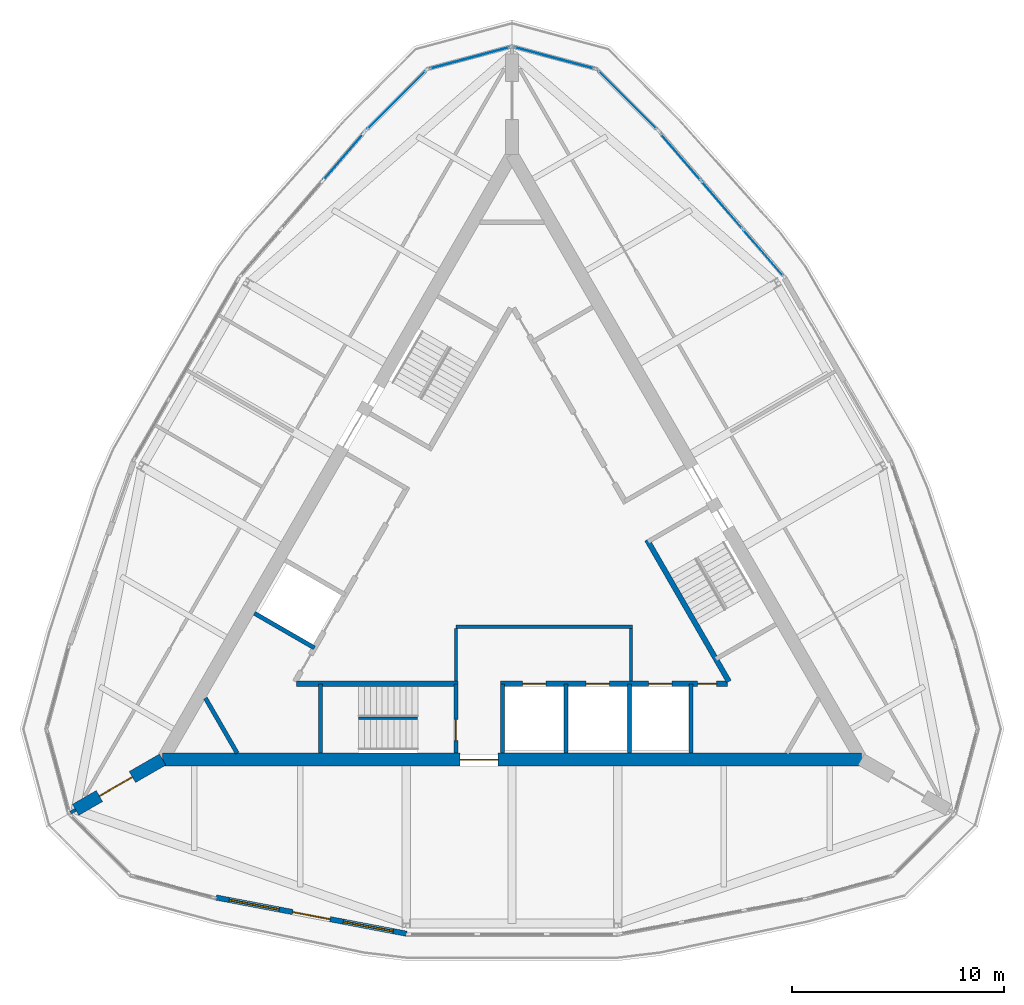
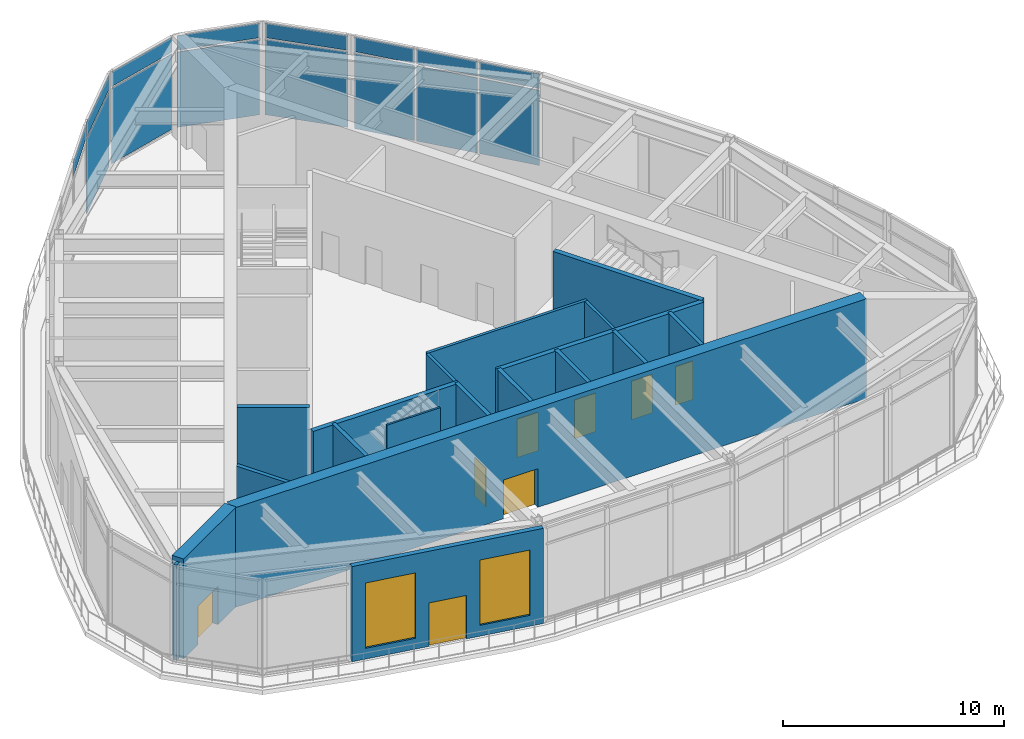
# One storey, part 5 of 9: 19 walls, 15 plates, 8 doors, 2 windows, 10 openings, 6 elements without a shape of their own.
"""IFC4 building model written with IfcOpenShell, lengths in metres."""

from ifc_helpers import new_model, si_unit, direction, frame, frame_2d, origin, origin_2d, place, context, subcontext, project, spatial, rectangle, extrude, material, layer, layer_set, type_object, element, fill, aggregate, save


model = new_model("IFC4")

# Units and contexts
model_context = context("Model", 3, precision=1e-05, world=origin(), true_north=direction((0.0, 1.0)))
body_context = subcontext(model_context, "Body", "Model", "MODEL_VIEW")
ifc_project = project(units=[si_unit("LENGTHUNIT", "METRE"), si_unit("AREAUNIT", "SQUARE_METRE"), si_unit("VOLUMEUNIT", "CUBIC_METRE"), si_unit("PLANEANGLEUNIT", "RADIAN"), si_unit("MASSUNIT", "GRAM", prefix="KILO")], contexts=[model_context])

# Site, building, storey
site_placement = place(None, origin())
site = spatial("IfcSite", under=ifc_project, at=site_placement, CompositionType="ELEMENT")
building_placement = place(site_placement, origin())
building = spatial("IfcBuilding", under=site, at=building_placement, Name="Trikona Tower", CompositionType="ELEMENT")
storey_placement = place(building_placement, frame((0.0, 0.0, 281.300048828125)))
storey = spatial("IfcBuildingStorey", under=building, at=storey_placement, Name="L74", CompositionType="ELEMENT", Elevation=281.300048828125)

# Curtain wall, plates
ifc_material_1 = material(Name="Aluminium curtain wall system", Category="aluminium")
curtain_wall_type = type_object("IfcCurtainWallType", Name="Curtain wall OB", PredefinedType="NOTDEFINED", material=ifc_material_1)
curtain_wall_1_placement = place(storey_placement, origin())
curtain_wall_1 = element("IfcCurtainWall", 1, at=curtain_wall_1_placement, inside=storey, type_object=curtain_wall_type, Name="Curtain wall OB L74", PredefinedType="NOTDEFINED")
ifc_material_2 = material(Name="Clear insulating glass unit", Category="glass")
ifc_layer_1 = layer(ifc_material_2, 0.028076171875)
ifc_layer_set_1 = layer_set([ifc_layer_1], Name="Glass panel OB")
plate_type = type_object("IfcPlateType", Name="Glass panel OB", PredefinedType="CURTAIN_PANEL", material=ifc_layer_set_1)
plate_1_placement = place(storey_placement, frame((11.865966796875, 14.408447265625, 0.10009765625), z_axis=(0.0, 0.0, 1.0), x_axis=(-0.652863914707, 0.757475219973, 0.0)))
plate_1 = element("IfcPlate", 2, at=plate_1_placement, type_object=plate_type, Name="CW-OB panel 1.1", PredefinedType="CURTAIN_PANEL", context=body_context, shape_type="SweptSolid", body=[
    extrude(rectangle(XDim=2.86376953125, YDim=0.028076171875, at=origin_2d()), origin(), (0.0, 0.0, 1.0), 4.14990234375),
])
plate_2_placement = place(storey_placement, frame((11.865966796875, 14.408447265625, 4.35009765625), z_axis=(0.0, 0.0, 1.0), x_axis=(-0.652863914707, 0.757475219973, 0.0)))
plate_2 = element("IfcPlate", 3, at=plate_2_placement, type_object=plate_type, Name="CW-OB panel 1.2", PredefinedType="CURTAIN_PANEL", context=body_context, shape_type="SweptSolid", body=[
    extrude(rectangle(XDim=2.86376953125, YDim=0.028076171875, at=origin_2d()), origin(), (0.0, 0.0, 1.0), 0.800048828125),
])
plate_3_placement = place(storey_placement, frame((9.914794921875, 16.67236328125, 0.10009765625), z_axis=(0.0, 0.0, 1.0), x_axis=(-0.652863914707, 0.757475219973, 0.0)))
plate_3 = element("IfcPlate", 4, at=plate_3_placement, type_object=plate_type, Name="CW-OB panel 2.1", PredefinedType="CURTAIN_PANEL", context=body_context, shape_type="SweptSolid", body=[
    extrude(rectangle(XDim=2.91357421875, YDim=0.028076171875, at=origin_2d()), origin(), (0.0, 0.0, 1.0), 4.14990234375),
])
plate_4_placement = place(storey_placement, frame((9.914794921875, 16.67236328125, 4.35009765625), z_axis=(0.0, 0.0, 1.0), x_axis=(-0.652863914707, 0.757475219973, 0.0)))
plate_4 = element("IfcPlate", 5, at=plate_4_placement, type_object=plate_type, Name="CW-OB panel 2.2", PredefinedType="CURTAIN_PANEL", context=body_context, shape_type="SweptSolid", body=[
    extrude(rectangle(XDim=2.91357421875, YDim=0.028076171875, at=origin_2d()), origin(), (0.0, 0.0, 1.0), 0.800048828125),
])
plate_5_placement = place(storey_placement, frame((7.96337890625, 18.936279296875, 0.10009765625), z_axis=(0.0, 0.0, 1.0), x_axis=(-0.652863914707, 0.757475219973, 0.0)))
plate_5 = element("IfcPlate", 6, at=plate_5_placement, type_object=plate_type, Name="CW-OB panel 3.1", PredefinedType="CURTAIN_PANEL", context=body_context, shape_type="SweptSolid", body=[
    extrude(rectangle(XDim=2.86376953125, YDim=0.028076171875, at=origin_2d()), origin(), (0.0, 0.0, 1.0), 4.14990234375),
])
plate_6_placement = place(storey_placement, frame((7.96337890625, 18.936279296875, 4.35009765625), z_axis=(0.0, 0.0, 1.0), x_axis=(-0.652863914707, 0.757475219973, 0.0)))
plate_6 = element("IfcPlate", 7, at=plate_6_placement, type_object=plate_type, Name="CW-OB panel 3.2", PredefinedType="CURTAIN_PANEL", context=body_context, shape_type="SweptSolid", body=[
    extrude(rectangle(XDim=2.86376953125, YDim=0.028076171875, at=origin_2d()), origin(), (0.0, 0.0, 1.0), 0.800048828125),
])
aggregate(curtain_wall_1, [plate_1, plate_2, plate_3, plate_4, plate_5, plate_6])

curtain_wall_2_placement = place(storey_placement, origin())
curtain_wall_2 = element("IfcCurtainWall", 8, at=curtain_wall_2_placement, inside=storey, type_object=curtain_wall_type, Name="Curtain wall OB L74", PredefinedType="NOTDEFINED")
plate_7_placement = place(storey_placement, frame((5.449951171875, 21.615966796875, 0.10009765625), z_axis=(0.0, 0.0, 1.0), x_axis=(-0.707106781187, 0.707106781187, 0.0)))
plate_7 = element("IfcPlate", 9, at=plate_7_placement, type_object=plate_type, Name="CW-OB panel 1.1", PredefinedType="CURTAIN_PANEL", context=body_context, shape_type="SweptSolid", body=[
    extrude(rectangle(XDim=3.864013671875, YDim=0.028076171875, at=origin_2d()), origin(), (0.0, 0.0, 1.0), 4.14990234375),
])
plate_8_placement = place(storey_placement, frame((5.449951171875, 21.615966796875, 4.35009765625), z_axis=(0.0, 0.0, 1.0), x_axis=(-0.707106781187, 0.707106781187, 0.0)))
plate_8 = element("IfcPlate", 10, at=plate_8_placement, type_object=plate_type, Name="CW-OB panel 1.2", PredefinedType="CURTAIN_PANEL", context=body_context, shape_type="SweptSolid", body=[
    extrude(rectangle(XDim=3.864013671875, YDim=0.028076171875, at=origin_2d()), origin(), (0.0, 0.0, 1.0), 0.800048828125),
])
aggregate(curtain_wall_2, [plate_7, plate_8])

curtain_wall_3_placement = place(storey_placement, origin())
curtain_wall_3 = element("IfcCurtainWall", 11, at=curtain_wall_3_placement, inside=storey, type_object=curtain_wall_type, Name="Curtain wall OB L74", PredefinedType="NOTDEFINED")
plate_9_placement = place(storey_placement, frame((1.994873046875, 23.610595703125, 0.10009765625), z_axis=(0.0, 0.0, 1.0), x_axis=(-0.965923448705, 0.258827918204, 0.0)))
plate_9 = element("IfcPlate", 12, at=plate_9_placement, type_object=plate_type, Name="CW-OB panel 1.1", PredefinedType="CURTAIN_PANEL", context=body_context, shape_type="SweptSolid", body=[
    extrude(rectangle(XDim=3.864013671875, YDim=0.028076171875, at=origin_2d()), origin(), (0.0, 0.0, 1.0), 4.14990234375),
])
plate_10_placement = place(storey_placement, frame((1.994873046875, 23.610595703125, 4.35009765625), z_axis=(0.0, 0.0, 1.0), x_axis=(-0.965923448705, 0.258827918204, 0.0)))
plate_10 = element("IfcPlate", 13, at=plate_10_placement, type_object=plate_type, Name="CW-OB panel 1.2", PredefinedType="CURTAIN_PANEL", context=body_context, shape_type="SweptSolid", body=[
    extrude(rectangle(XDim=3.864013671875, YDim=0.028076171875, at=origin_2d()), origin(), (0.0, 0.0, 1.0), 0.800048828125),
])
aggregate(curtain_wall_3, [plate_9, plate_10])

curtain_wall_4_placement = place(storey_placement, origin())
curtain_wall_4 = element("IfcCurtainWall", 14, at=curtain_wall_4_placement, inside=storey, type_object=curtain_wall_type, Name="Curtain wall OB L74", PredefinedType="NOTDEFINED")
plate_11_placement = place(storey_placement, frame((-1.994873046875, 23.610595703125, 0.10009765625), z_axis=(0.0, 0.0, 1.0), x_axis=(-0.965923448705, -0.258827918204, 0.0)))
plate_11 = element("IfcPlate", 15, at=plate_11_placement, type_object=plate_type, Name="CW-OB panel 1.1", PredefinedType="CURTAIN_PANEL", context=body_context, shape_type="SweptSolid", body=[
    extrude(rectangle(XDim=3.864013671875, YDim=0.028076171875, at=origin_2d()), origin(), (0.0, 0.0, 1.0), 4.14990234375),
])
plate_12_placement = place(storey_placement, frame((-1.994873046875, 23.610595703125, 4.35009765625), z_axis=(0.0, 0.0, 1.0), x_axis=(-0.965923448705, -0.258827918204, 0.0)))
plate_12 = element("IfcPlate", 16, at=plate_12_placement, type_object=plate_type, Name="CW-OB panel 1.2", PredefinedType="CURTAIN_PANEL", context=body_context, shape_type="SweptSolid", body=[
    extrude(rectangle(XDim=3.864013671875, YDim=0.028076171875, at=origin_2d()), origin(), (0.0, 0.0, 1.0), 0.800048828125),
])
aggregate(curtain_wall_4, [plate_11, plate_12])

curtain_wall_5_placement = place(storey_placement, origin())
curtain_wall_5 = element("IfcCurtainWall", 17, at=curtain_wall_5_placement, inside=storey, type_object=curtain_wall_type, Name="Curtain wall OB L74", PredefinedType="NOTDEFINED")
plate_13_placement = place(storey_placement, frame((-5.449951171875, 21.615966796875, 0.10009765625), z_axis=(0.0, 0.0, 1.0), x_axis=(-0.707106781187, -0.707106781187, 0.0)))
plate_13 = element("IfcPlate", 18, at=plate_13_placement, type_object=plate_type, Name="CW-OB panel 1.1", PredefinedType="CURTAIN_PANEL", context=body_context, shape_type="SweptSolid", body=[
    extrude(rectangle(XDim=3.864013671875, YDim=0.028076171875, at=origin_2d()), origin(), (0.0, 0.0, 1.0), 4.14990234375),
])
plate_14_placement = place(storey_placement, frame((-5.449951171875, 21.615966796875, 4.35009765625), z_axis=(0.0, 0.0, 1.0), x_axis=(-0.707106781187, -0.707106781187, 0.0)))
plate_14 = element("IfcPlate", 19, at=plate_14_placement, type_object=plate_type, Name="CW-OB panel 1.2", PredefinedType="CURTAIN_PANEL", context=body_context, shape_type="SweptSolid", body=[
    extrude(rectangle(XDim=3.864013671875, YDim=0.028076171875, at=origin_2d()), origin(), (0.0, 0.0, 1.0), 0.800048828125),
])
aggregate(curtain_wall_5, [plate_13, plate_14])

# Curtain wall, plate
curtain_wall_6_placement = place(storey_placement, origin())
curtain_wall_6 = element("IfcCurtainWall", 20, at=curtain_wall_6_placement, inside=storey, type_object=curtain_wall_type, Name="Curtain wall OB L74", PredefinedType="NOTDEFINED")
plate_15_placement = place(storey_placement, frame((-7.96337890625, 18.936279296875, 4.35009765625), z_axis=(0.0, 0.0, 1.0), x_axis=(-0.652863914707, -0.757475219973, 0.0)))
plate_15 = element("IfcPlate", 21, at=plate_15_placement, type_object=plate_type, Name="CW-OB panel 1.2", PredefinedType="CURTAIN_PANEL", context=body_context, shape_type="SweptSolid", body=[
    extrude(rectangle(XDim=2.86376953125, YDim=0.028076171875, at=origin_2d()), origin(), (0.0, 0.0, 1.0), 0.800048828125),
])
aggregate(curtain_wall_6, [plate_15])

# Wall, opening, door
ifc_material_3 = material(Name="Concrete f'c 10000 psi", Category="concrete")
ifc_layer_2 = layer(ifc_material_3, 0.60009765625)
ifc_layer_set_2 = layer_set([ifc_layer_2], Name="Buttress wall 600")
wall_type_1 = type_object("IfcWallType", Name="Buttress wall 600", PredefinedType="SHEAR", material=ifc_layer_set_2)
wall_1_placement = place(storey_placement, frame((-16.5, -9.5263671875, 0.0), z_axis=(0.0, 0.0, 1.0), x_axis=(-0.866031398331, -0.499989616998, 0.0)))
wall_1 = element("IfcWall", 22, at=wall_1_placement, inside=storey, type_object=wall_type_1, Name="Buttress wall 3", PredefinedType="SHEAR", context=body_context, shape_type="SweptSolid", body=[
    extrude(rectangle(XDim=4.74609375, YDim=0.60009765625, at=frame_2d((2.373046875, 0.0))), origin(), (0.0, 0.0, 1.0), 5.5),
])
opening_1_placement = place(wall_1_placement, frame((1.64990234375, 0.0, 0.0)))
opening_1 = element("IfcOpeningElement", 23, at=opening_1_placement, cuts=wall_1, Name="Opening D10", PredefinedType="OPENING", context=body_context, shape_type="SweptSolid", body=[
    extrude(rectangle(XDim=1.800048828125, YDim=2.1298828125, at=frame_2d((0.89990234375, 1.06494140625))), frame((0.0, 0.31005859375, 0.0), z_axis=(0.0, -1.0, 0.0), x_axis=(1.0, 0.0, 0.0)), (0.0, 0.0, 1.0), 0.6201171875),
])
ifc_material_4 = material(Name="Hollow metal door and frame", Category="steel")
door_type_1 = type_object("IfcDoorType", Name="Cross-corridor door pair 1800x2130", OperationType="DOUBLE_DOOR_DOUBLE_SWING", PredefinedType="DOOR", material=ifc_material_4)
door_1_placement = place(opening_1_placement, origin())
door_1 = element("IfcDoor", 24, at=door_1_placement, inside=storey, type_object=door_type_1, Name="Cross-corridor door 3", OperationType="DOUBLE_DOOR_DOUBLE_SWING", OverallHeight=2.1298828125, OverallWidth=1.800048828125, PredefinedType="DOOR", context=body_context, shape_type="SweptSolid", body=[
    extrude(rectangle(XDim=1.800048828125, YDim=2.1298828125, at=frame_2d((0.89990234375, 1.06494140625))), frame((0.0, 0.02490234375, 0.0), z_axis=(0.0, -1.0, 0.0), x_axis=(1.0, 0.0, 0.0)), (0.0, 0.0, 1.0), 0.050048828125),
])
fill(opening_1, door_1)

ifc_material_5 = material(Name="Concrete f'c 10000 psi", Category="concrete")
ifc_layer_3 = layer(ifc_material_5, 0.60009765625)
ifc_layer_set_3 = layer_set([ifc_layer_3], Name="Core wall 600")
wall_type_2 = type_object("IfcWallType", Name="Core wall 600", PredefinedType="SHEAR", material=ifc_layer_set_3)
wall_2_placement = place(storey_placement, frame((-16.5, -9.5263671875, 0.0), z_axis=(0.0, 0.0, 1.0), x_axis=(1.0, 0.0, 0.0)))
wall_2 = element("IfcWall", 25, at=wall_2_placement, inside=storey, type_object=wall_type_2, Name="Core wall A", PredefinedType="SHEAR", context=body_context, shape_type="SweptSolid", body=[
    extrude(rectangle(XDim=33.0, YDim=0.60009765625, at=frame_2d((16.5, 0.0))), origin(), (0.0, 0.0, 1.0), 5.5),
])
opening_2_placement = place(wall_2_placement, frame((14.050048828125, 0.0, 0.0)))
opening_2 = element("IfcOpeningElement", 26, at=opening_2_placement, cuts=wall_2, Name="Opening D6", PredefinedType="OPENING", context=body_context, shape_type="SweptSolid", body=[
    extrude(rectangle(XDim=1.800048828125, YDim=2.1298828125, at=frame_2d((0.89990234375, 1.06494140625))), frame((0.0, 0.31005859375, 0.0), z_axis=(0.0, -1.0, 0.0), x_axis=(1.0, 0.0, 0.0)), (0.0, 0.0, 1.0), 0.6201171875),
])
ifc_material_6 = material(Name="Hollow metal door and frame", Category="steel")
door_type_2 = type_object("IfcDoorType", Name="Lobby door pair 1800x2130", OperationType="DOUBLE_DOOR_SINGLE_SWING", PredefinedType="DOOR", material=ifc_material_6)
door_2_placement = place(opening_2_placement, origin())
door_2 = element("IfcDoor", 27, at=door_2_placement, inside=storey, type_object=door_type_2, Name="Fire service lift lobby door", OperationType="DOUBLE_DOOR_SINGLE_SWING", OverallHeight=2.1298828125, OverallWidth=1.800048828125, PredefinedType="DOOR", context=body_context, shape_type="SweptSolid", body=[
    extrude(rectangle(XDim=1.800048828125, YDim=2.1298828125, at=frame_2d((0.89990234375, 1.06494140625))), frame((0.0, 0.02490234375, 0.0), z_axis=(0.0, -1.0, 0.0), x_axis=(1.0, 0.0, 0.0)), (0.0, 0.0, 1.0), 0.050048828125),
])
fill(opening_2, door_2)

# Wall
ifc_material_7 = material(Name="Concrete f'c 8000 psi", Category="concrete")
ifc_layer_4 = layer(ifc_material_7, 0.25)
ifc_layer_set_4 = layer_set([ifc_layer_4], Name="Hub wall 250")
wall_type_3 = type_object("IfcWallType", Name="Hub wall 250", PredefinedType="SOLIDWALL", material=ifc_layer_set_4)
wall_3_placement = place(storey_placement, frame((-10.182861328125, -5.951416015625, 0.0), z_axis=(0.0, 0.0, 1.0), x_axis=(1.0, 0.0, 0.0)))
element("IfcWall", 28, at=wall_3_placement, inside=storey, type_object=wall_type_3, Name="Lift lobby wall A1", PredefinedType="SOLIDWALL", context=body_context, shape_type="SweptSolid", body=[
    extrude(rectangle(XDim=7.6328125, YDim=0.25, at=frame_2d((3.81640625, 0.0))), origin(), (0.0, 0.0, 1.0), 5.25),
])

# Wall, openings, doors
wall_4_placement = place(storey_placement, frame((-0.550048828125, -5.951416015625, 0.0), z_axis=(0.0, 0.0, 1.0), x_axis=(1.0, 0.0, 0.0)))
wall_4 = element("IfcWall", 29, at=wall_4_placement, inside=storey, type_object=wall_type_3, Name="Lift lobby wall A2", PredefinedType="SOLIDWALL", context=body_context, shape_type="SweptSolid", body=[
    extrude(rectangle(XDim=10.73291015625, YDim=0.25, at=frame_2d((5.366455078125, 0.0))), origin(), (0.0, 0.0, 1.0), 5.25),
])
opening_3_placement = place(wall_4_placement, frame((9.31396484375, 0.0, 0.0)))
opening_3 = element("IfcOpeningElement", 30, at=opening_3_placement, cuts=wall_4, Name="Opening D14", PredefinedType="OPENING", context=body_context, shape_type="SweptSolid", body=[
    extrude(rectangle(XDim=0.89990234375, YDim=2.1298828125, at=frame_2d((0.449951171875, 1.06494140625))), frame((0.0, 0.135009765625, 0.0), z_axis=(0.0, -1.0, 0.0), x_axis=(1.0, 0.0, 0.0)), (0.0, 0.0, 1.0), 0.27001953125),
])
opening_4_placement = place(wall_4_placement, frame((1.050048828125, 0.0, 0.0)))
opening_4 = element("IfcOpeningElement", 31, at=opening_4_placement, cuts=wall_4, Name="Opening LD", PredefinedType="OPENING", context=body_context, shape_type="SweptSolid", body=[
    extrude(rectangle(XDim=1.10009765625, YDim=2.1298828125, at=frame_2d((0.550048828125, 1.06494140625))), frame((0.0, 0.135009765625, 0.0), z_axis=(0.0, -1.0, 0.0), x_axis=(1.0, 0.0, 0.0)), (0.0, 0.0, 1.0), 0.27001953125),
])
opening_5_placement = place(wall_4_placement, frame((4.050048828125, 0.0, 0.0)))
opening_5 = element("IfcOpeningElement", 32, at=opening_5_placement, cuts=wall_4, Name="Opening LD", PredefinedType="OPENING", context=body_context, shape_type="SweptSolid", body=[
    extrude(rectangle(XDim=1.10009765625, YDim=2.1298828125, at=frame_2d((0.550048828125, 1.06494140625))), frame((0.0, 0.135009765625, 0.0), z_axis=(0.0, -1.0, 0.0), x_axis=(1.0, 0.0, 0.0)), (0.0, 0.0, 1.0), 0.27001953125),
])
opening_6_placement = place(wall_4_placement, frame((7.0, 0.0, 0.0)))
opening_6 = element("IfcOpeningElement", 33, at=opening_6_placement, cuts=wall_4, Name="Opening LD", PredefinedType="OPENING", context=body_context, shape_type="SweptSolid", body=[
    extrude(rectangle(XDim=1.10009765625, YDim=2.1298828125, at=frame_2d((0.550048828125, 1.06494140625))), frame((0.0, 0.135009765625, 0.0), z_axis=(0.0, -1.0, 0.0), x_axis=(1.0, 0.0, 0.0)), (0.0, 0.0, 1.0), 0.27001953125),
])
ifc_material_8 = material(Name="Stainless steel lift landing door", Category="steel")
door_type_3 = type_object("IfcDoorType", Name="Lift landing door 1100x2130", OperationType="DOUBLE_DOOR_SLIDING", PredefinedType="USERDEFINED", material=ifc_material_8)
door_3_placement = place(opening_4_placement, origin())
door_3 = element("IfcDoor", 34, at=door_3_placement, inside=storey, type_object=door_type_3, Name="Lift landing door FF1", ObjectType="LIFT LANDING DOOR", OperationType="DOUBLE_DOOR_SLIDING", OverallHeight=2.1298828125, OverallWidth=1.10009765625, PredefinedType="USERDEFINED", context=body_context, shape_type="SweptSolid", body=[
    extrude(rectangle(XDim=1.10009765625, YDim=2.1298828125, at=frame_2d((0.550048828125, 1.06494140625))), frame((0.0, 0.02490234375, 0.0), z_axis=(0.0, -1.0, 0.0), x_axis=(1.0, 0.0, 0.0)), (0.0, 0.0, 1.0), 0.050048828125),
])
fill(opening_4, door_3)
door_4_placement = place(opening_5_placement, origin())
door_4 = element("IfcDoor", 35, at=door_4_placement, inside=storey, type_object=door_type_3, Name="Lift landing door FF2", ObjectType="LIFT LANDING DOOR", OperationType="DOUBLE_DOOR_SLIDING", OverallHeight=2.1298828125, OverallWidth=1.10009765625, PredefinedType="USERDEFINED", context=body_context, shape_type="SweptSolid", body=[
    extrude(rectangle(XDim=1.10009765625, YDim=2.1298828125, at=frame_2d((0.550048828125, 1.06494140625))), frame((0.0, 0.02490234375, 0.0), z_axis=(0.0, -1.0, 0.0), x_axis=(1.0, 0.0, 0.0)), (0.0, 0.0, 1.0), 0.050048828125),
])
fill(opening_5, door_4)
door_5_placement = place(opening_6_placement, origin())
door_5 = element("IfcDoor", 36, at=door_5_placement, inside=storey, type_object=door_type_3, Name="Lift landing door OB1", ObjectType="LIFT LANDING DOOR", OperationType="DOUBLE_DOOR_SLIDING", OverallHeight=2.1298828125, OverallWidth=1.10009765625, PredefinedType="USERDEFINED", context=body_context, shape_type="SweptSolid", body=[
    extrude(rectangle(XDim=1.10009765625, YDim=2.1298828125, at=frame_2d((0.550048828125, 1.06494140625))), frame((0.0, 0.02490234375, 0.0), z_axis=(0.0, -1.0, 0.0), x_axis=(1.0, 0.0, 0.0)), (0.0, 0.0, 1.0), 0.050048828125),
])
fill(opening_6, door_5)
ifc_material_9 = material(Name="Hollow metal door and frame", Category="steel")
door_type_4 = type_object("IfcDoorType", Name="Service room door 900x2130", OperationType="SINGLE_SWING_LEFT", PredefinedType="DOOR", material=ifc_material_9)
door_6_placement = place(opening_3_placement, origin())
door_6 = element("IfcDoor", 37, at=door_6_placement, inside=storey, type_object=door_type_4, Name="Door Store STR", OperationType="SINGLE_SWING_RIGHT", OverallHeight=2.1298828125, OverallWidth=0.89990234375, PredefinedType="DOOR", context=body_context, shape_type="SweptSolid", body=[
    extrude(rectangle(XDim=0.89990234375, YDim=2.1298828125, at=frame_2d((0.449951171875, 1.06494140625))), frame((0.0, 0.02490234375, 0.0), z_axis=(0.0, -1.0, 0.0), x_axis=(1.0, 0.0, 0.0)), (0.0, 0.0, 1.0), 0.050048828125),
])
fill(opening_3, door_6)

# Wall
wall_5_placement = place(storey_placement, frame((10.245361328125, -5.843017578125, 0.0), z_axis=(0.0, 0.0, 1.0), x_axis=(-0.499993009313, 0.866029439822, 0.0)))
element("IfcWall", 38, at=wall_5_placement, inside=storey, type_object=wall_type_3, Name="Lift lobby wall B1", PredefinedType="SOLIDWALL", context=body_context, shape_type="SweptSolid", body=[
    extrude(rectangle(XDim=7.73291015625, YDim=0.25, at=frame_2d((3.866455078125, 0.0))), origin(), (0.0, 0.0, 1.0), 5.25),
])

# Wall, openings, door, windows
ifc_material_10 = material(Name="Insulated precast concrete spandrel panel", Category="concrete")
ifc_layer_5 = layer(ifc_material_10, 0.25)
ifc_layer_set_5 = layer_set([ifc_layer_5], Name="Inner skin wall 250")
wall_type_4 = type_object("IfcWallType", Name="Inner skin wall 250", PredefinedType="STANDARD", material=ifc_layer_set_5)
wall_6_placement = place(storey_placement, frame((-13.976806640625, -16.04296875, 0.0), z_axis=(0.0, 0.0, 1.0), x_axis=(0.982425233625, -0.18665653039, 0.0)))
wall_6 = element("IfcWall", 39, at=wall_6_placement, inside=storey, type_object=wall_type_4, Name="External wall L74-00", PredefinedType="STANDARD", context=body_context, shape_type="SweptSolid", body=[
    extrude(rectangle(XDim=9.160888671875, YDim=0.25, at=frame_2d((4.58056640625, 0.0))), origin(), (0.0, 0.0, 1.0), 5.25),
])
opening_7_placement = place(wall_6_placement, frame((3.680419921875, 0.0, 0.0)))
opening_7 = element("IfcOpeningElement", 40, at=opening_7_placement, cuts=wall_6, Name="Opening D8", PredefinedType="OPENING", context=body_context, shape_type="SweptSolid", body=[
    extrude(rectangle(XDim=1.800048828125, YDim=2.39990234375, at=frame_2d((0.89990234375, 1.199951171875))), frame((0.0, 0.135009765625, 0.0), z_axis=(0.0, -1.0, 0.0), x_axis=(1.0, 0.0, 0.0)), (0.0, 0.0, 1.0), 0.27001953125),
])
opening_8_placement = place(wall_6_placement, frame((0.640380859375, 0.0, 0.60009765625)))
opening_8 = element("IfcOpeningElement", 41, at=opening_8_placement, cuts=wall_6, Name="Opening W2436", PredefinedType="OPENING", context=body_context, shape_type="SweptSolid", body=[
    extrude(rectangle(XDim=2.39990234375, YDim=3.60009765625, at=frame_2d((1.199951171875, 1.800048828125))), frame((0.0, 0.135009765625, 0.0), z_axis=(0.0, -1.0, 0.0), x_axis=(1.0, 0.0, 0.0)), (0.0, 0.0, 1.0), 0.27001953125),
])
opening_9_placement = place(wall_6_placement, frame((6.120849609375, 0.0, 0.60009765625)))
opening_9 = element("IfcOpeningElement", 42, at=opening_9_placement, cuts=wall_6, Name="Opening W2436", PredefinedType="OPENING", context=body_context, shape_type="SweptSolid", body=[
    extrude(rectangle(XDim=2.39990234375, YDim=3.60009765625, at=frame_2d((1.199951171875, 1.800048828125))), frame((0.0, 0.135009765625, 0.0), z_axis=(0.0, -1.0, 0.0), x_axis=(1.0, 0.0, 0.0)), (0.0, 0.0, 1.0), 0.27001953125),
])
ifc_material_11 = material(Name="Aluminium-framed glazed door", Category="aluminium")
door_type_5 = type_object("IfcDoorType", Name="Terrace door pair 1800x2400", OperationType="DOUBLE_DOOR_SINGLE_SWING", PredefinedType="DOOR", material=ifc_material_11)
door_7_placement = place(opening_7_placement, origin())
door_7 = element("IfcDoor", 43, at=door_7_placement, inside=storey, type_object=door_type_5, Name="Terrace door Sky restaurant", OperationType="DOUBLE_DOOR_SINGLE_SWING", OverallHeight=2.39990234375, OverallWidth=1.800048828125, PredefinedType="DOOR", context=body_context, shape_type="SweptSolid", body=[
    extrude(rectangle(XDim=1.800048828125, YDim=2.39990234375, at=frame_2d((0.89990234375, 1.199951171875))), frame((0.0, 0.02490234375, 0.0), z_axis=(0.0, -1.0, 0.0), x_axis=(1.0, 0.0, 0.0)), (0.0, 0.0, 1.0), 0.050048828125),
])
fill(opening_7, door_7)
ifc_material_12 = material(Name="Aluminium-framed double glazing", Category="aluminium")
window_type = type_object("IfcWindowType", Name="Window 2400x3600", PartitioningType="SINGLE_PANEL", PredefinedType="WINDOW", material=ifc_material_12)
window_1_placement = place(opening_8_placement, origin())
window_1 = element("IfcWindow", 44, at=window_1_placement, inside=storey, type_object=window_type, Name="Window L74-DIN", OverallHeight=3.60009765625, OverallWidth=2.39990234375, PartitioningType="SINGLE_PANEL", PredefinedType="WINDOW", context=body_context, shape_type="SweptSolid", body=[
    extrude(rectangle(XDim=2.39990234375, YDim=3.60009765625, at=frame_2d((1.199951171875, 1.800048828125))), frame((0.0, 0.030029296875, 0.0), z_axis=(0.0, -1.0, 0.0), x_axis=(1.0, 0.0, 0.0)), (0.0, 0.0, 1.0), 0.06005859375),
])
fill(opening_8, window_1)
window_2_placement = place(opening_9_placement, origin())
window_2 = element("IfcWindow", 45, at=window_2_placement, inside=storey, type_object=window_type, Name="Window L74-DIN", OverallHeight=3.60009765625, OverallWidth=2.39990234375, PartitioningType="SINGLE_PANEL", PredefinedType="WINDOW", context=body_context, shape_type="SweptSolid", body=[
    extrude(rectangle(XDim=2.39990234375, YDim=3.60009765625, at=frame_2d((1.199951171875, 1.800048828125))), frame((0.0, 0.030029296875, 0.0), z_axis=(0.0, -1.0, 0.0), x_axis=(1.0, 0.0, 0.0)), (0.0, 0.0, 1.0), 0.06005859375),
])
fill(opening_9, window_2)

# Walls
ifc_material_13 = material(Name="Metal stud and gypsum board, 2-hour shaft wall", Category="gypsum")
ifc_layer_6 = layer(ifc_material_13, 0.14990234375)
ifc_layer_set_6 = layer_set([ifc_layer_6], Name="Lobby wall 150")
wall_type_5 = type_object("IfcWallType", Name="Lobby wall 150", PredefinedType="PARTITIONING", material=ifc_layer_set_6)
wall_7_placement = place(storey_placement, frame((-2.64990234375, -3.251220703125, 0.0), z_axis=(0.0, 0.0, 1.0), x_axis=(1.0, 0.0, 0.0)))
element("IfcWall", 46, at=wall_7_placement, inside=storey, type_object=wall_type_5, Name="Fire service lift lobby wall 1", PredefinedType="PARTITIONING", context=body_context, shape_type="SweptSolid", body=[
    extrude(rectangle(XDim=8.349853515625, YDim=0.14990234375, at=frame_2d((4.1748046875, 0.0))), origin(), (0.0, 0.0, 1.0), 5.25),
])
for number, where, z_axis, x_axis, name in (
    (47, (-2.64990234375, -5.826416015625, 0.0), (0.0, 0.0, 1.0), (0.0, 1.0, 0.0), "Fire service lift lobby wall 2"),
    (48, (5.625, -5.826416015625, 0.0), (0.0, 0.0, 1.0), (0.0, 1.0, 0.0), "Fire service lift lobby wall 3"),
):
    element("IfcWall", number, at=place(storey_placement, frame(where, z_axis=z_axis, x_axis=x_axis)), inside=storey, type_object=wall_type_5, Name=name, PredefinedType="PARTITIONING", context=body_context, shape_type="SweptSolid", body=[
        extrude(rectangle(XDim=2.5, YDim=0.14990234375, at=frame_2d((1.25, 0.0))), origin(), (0.0, 0.0, 1.0), 5.25),
    ])
ifc_material_14 = material(Name="Metal stud and gypsum board, 1-hour acoustic", Category="gypsum")
ifc_layer_7 = layer(ifc_material_14, 0.14990234375)
ifc_layer_set_7 = layer_set([ifc_layer_7], Name="Party wall 150")
wall_type_6 = type_object("IfcWallType", Name="Party wall 150", PredefinedType="PARTITIONING", material=ifc_layer_set_7)
wall_8_placement = place(storey_placement, frame((-20.6103515625, -11.8994140625, 0.0), z_axis=(0.0, 0.0, 1.0), x_axis=(-0.866065156741, -0.499931139538, 0.0)))
element("IfcWall", 49, at=wall_8_placement, inside=storey, type_object=wall_type_6, Name="Partition L74 Buttress wall 3 closure", PredefinedType="PARTITIONING", context=body_context, shape_type="SweptSolid", body=[
    extrude(rectangle(XDim=0.27001953125, YDim=0.14990234375, at=frame_2d((0.135009765625, 0.0))), origin(), (0.0, 0.0, 1.0), 5.25),
])
ifc_material_15 = material(Name="Concrete f'c 8000 psi", Category="concrete")
ifc_layer_8 = layer(ifc_material_15, 0.199951171875)
ifc_layer_set_8 = layer_set([ifc_layer_8], Name="Shaft wall 200")
wall_type_7 = type_object("IfcWallType", Name="Shaft wall 200", PredefinedType="SOLIDWALL", material=ifc_layer_set_8)
for number, where, z_axis, x_axis, name in (
    (50, (-0.449951171875, -5.951416015625, 0.0), (0.0, 0.0, 1.0), (0.0, -1.0, 0.0), "Shaft wall A3"),
    (51, (2.550048828125, -5.951416015625, 0.0), (0.0, 0.0, 1.0), (0.0, -1.0, 0.0), "Shaft wall A4"),
    (52, (5.550048828125, -5.951416015625, 0.0), (0.0, 0.0, 1.0), (0.0, -1.0, 0.0), "Shaft wall A5"),
    (53, (8.449951171875, -5.951416015625, 0.0), (0.0, 0.0, 1.0), (0.0, -1.0, 0.0), "Shaft wall A6"),
    (54, (-9.3291015625, -4.255615234375, 0.0), (0.0, 0.0, 1.0), (-0.866027924134, 0.499995634601, 0.0), "Shaft wall C6"),
):
    element("IfcWall", number, at=place(storey_placement, frame(where, z_axis=z_axis, x_axis=x_axis)), inside=storey, type_object=wall_type_7, Name=name, PredefinedType="SOLIDWALL", context=body_context, shape_type="SweptSolid", body=[
        extrude(rectangle(XDim=3.27490234375, YDim=0.199951171875, at=frame_2d((1.637451171875, 0.0))), origin(), (0.0, 0.0, 1.0), 5.25),
    ])
wall_9_placement = place(storey_placement, frame((-12.978271484375, -9.226318359375, 0.0), z_axis=(0.0, 0.0, 1.0), x_axis=(-0.499952404951, 0.866052881055, 0.0)))
element("IfcWall", 55, at=wall_9_placement, inside=storey, type_object=wall_type_7, Name="Riser wall L74-RS3", PredefinedType="SOLIDWALL", context=body_context, shape_type="SweptSolid", body=[
    extrude(rectangle(XDim=3.002197265625, YDim=0.199951171875, at=frame_2d((1.5009765625, 0.0))), origin(), (0.0, 0.0, 1.0), 5.25),
])
ifc_material_16 = material(Name="Concrete f'c 8000 psi", Category="concrete")
ifc_layer_9 = layer(ifc_material_16, 0.199951171875)
ifc_layer_set_9 = layer_set([ifc_layer_9], Name="Shaft wall 200 load-bearing")
wall_type_8 = type_object("IfcWallType", Name="Shaft wall 200 load-bearing", PredefinedType="SOLIDWALL", material=ifc_layer_set_9)
wall_10_placement = place(storey_placement, frame((-9.050048828125, -5.951416015625, 0.0), z_axis=(0.0, 0.0, 1.0), x_axis=(0.0, -1.0, 0.0)))
element("IfcWall", 56, at=wall_10_placement, inside=storey, type_object=wall_type_8, Name="Shaft wall A1", PredefinedType="SOLIDWALL", context=body_context, shape_type="SweptSolid", body=[
    extrude(rectangle(XDim=3.27490234375, YDim=0.199951171875, at=frame_2d((1.637451171875, 0.0))), origin(), (0.0, 0.0, 1.0), 5.25),
])

# Wall, opening, door
wall_11_placement = place(storey_placement, frame((-2.64990234375, -5.951416015625, 0.0), z_axis=(0.0, 0.0, 1.0), x_axis=(0.0, -1.0, 0.0)))
wall_11 = element("IfcWall", 57, at=wall_11_placement, inside=storey, type_object=wall_type_8, Name="Shaft wall A2", PredefinedType="SOLIDWALL", context=body_context, shape_type="SweptSolid", body=[
    extrude(rectangle(XDim=3.27490234375, YDim=0.199951171875, at=frame_2d((1.637451171875, 0.0))), origin(), (0.0, 0.0, 1.0), 5.25),
])
opening_10_placement = place(wall_11_placement, frame((1.675048828125, 0.0, 0.0)))
opening_10 = element("IfcOpeningElement", 58, at=opening_10_placement, cuts=wall_11, Name="Opening D5", PredefinedType="OPENING", context=body_context, shape_type="SweptSolid", body=[
    extrude(rectangle(XDim=1.0, YDim=2.1298828125, at=frame_2d((0.5, 1.06494140625))), frame((0.0, 0.10986328125, 0.0), z_axis=(0.0, -1.0, 0.0), x_axis=(1.0, 0.0, 0.0)), (0.0, 0.0, 1.0), 0.219970703125),
])
ifc_material_17 = material(Name="Hollow metal door and frame", Category="steel")
door_type_6 = type_object("IfcDoorType", Name="Stair door 1000x2130", OperationType="SINGLE_SWING_LEFT", PredefinedType="DOOR", material=ifc_material_17)
door_8_placement = place(opening_10_placement, origin())
door_8 = element("IfcDoor", 59, at=door_8_placement, inside=storey, type_object=door_type_6, Name="Stair A door", OperationType="SINGLE_SWING_RIGHT", OverallHeight=2.1298828125, OverallWidth=1.0, PredefinedType="DOOR", context=body_context, shape_type="SweptSolid", body=[
    extrude(rectangle(XDim=1.0, YDim=2.1298828125, at=frame_2d((0.5, 1.06494140625))), frame((0.0, 0.02490234375, 0.0), z_axis=(0.0, -1.0, 0.0), x_axis=(1.0, 0.0, 0.0)), (0.0, 0.0, 1.0), 0.050048828125),
])
fill(opening_10, door_8)

# Wall
ifc_material_18 = material(Name="Concrete f'c 5000 psi", Category="concrete")
ifc_layer_10 = layer(ifc_material_18, 0.10009765625)
ifc_layer_set_10 = layer_set([ifc_layer_10], Name="Stair spine wall 100")
wall_type_9 = type_object("IfcWallType", Name="Stair spine wall 100", PredefinedType="SOLIDWALL", material=ifc_layer_set_10)
wall_12_placement = place(storey_placement, frame((-7.2470703125, -7.576416015625, 0.0), z_axis=(0.0, 0.0, 1.0), x_axis=(1.0, 0.0, 0.0)))
element("IfcWall", 60, at=wall_12_placement, inside=storey, type_object=wall_type_9, Name="Stair A spine wall L74", PredefinedType="SOLIDWALL", context=body_context, shape_type="SweptSolid", body=[
    extrude(rectangle(XDim=2.794189453125, YDim=0.10009765625, at=frame_2d((1.39697265625, 0.0))), origin(), (0.0, 0.0, 1.0), 5.5),
])

save(model, "model.ifc")
